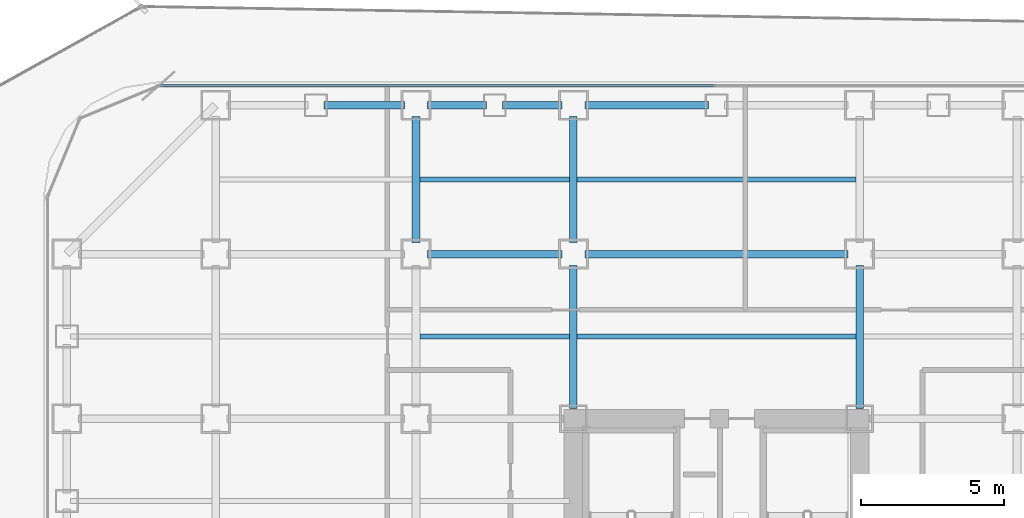
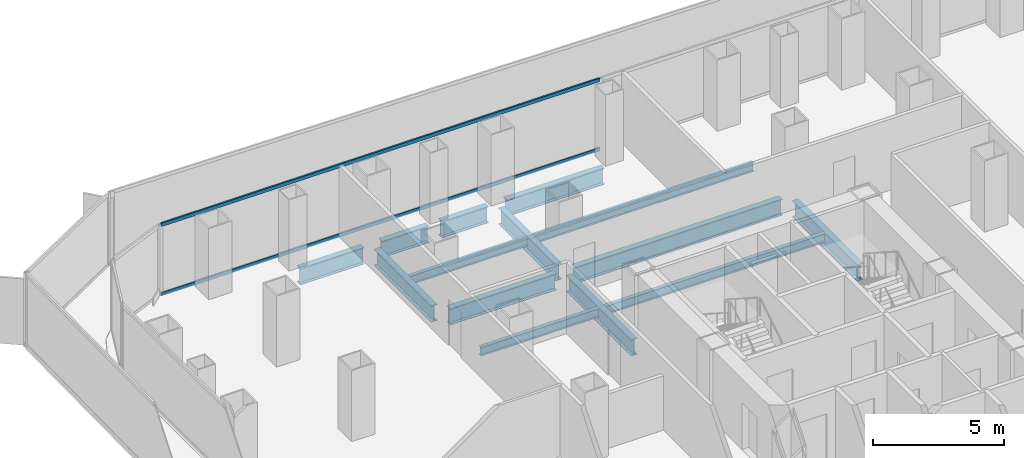
# One storey, part 12 of 21: 14 beams, 2 members, 1 element without a shape of its own.
"""IFC4 building model written with IfcOpenShell, lengths in metres."""

from ifc_helpers import new_model, si_unit, direction, frame, origin, origin_2d, place, context, subcontext, project, spatial, hollow_rectangle, i_section, extrude, source, transform, mapped, material, layer, layer_set, material_profile, profile_set, type_object, element, aggregate, save


model = new_model("IFC4")

# Units and contexts
model_context = context("Model", 3, precision=1e-05, world=origin(), true_north=direction((0.0, 1.0)))
body_context = subcontext(model_context, "Body", "Model", "MODEL_VIEW")
ifc_project = project(units=[si_unit("LENGTHUNIT", "METRE"), si_unit("AREAUNIT", "SQUARE_METRE"), si_unit("VOLUMEUNIT", "CUBIC_METRE"), si_unit("PLANEANGLEUNIT", "RADIAN"), si_unit("MASSUNIT", "GRAM", prefix="KILO")], contexts=[model_context])

# Site, building, storey
site_placement = place(None, origin())
site = spatial("IfcSite", under=ifc_project, at=site_placement, CompositionType="ELEMENT")
building_placement = place(site_placement, origin())
building = spatial("IfcBuilding", under=site, at=building_placement, Name="Kolveth Station Tower", CompositionType="ELEMENT")
storey_placement = place(building_placement, frame((0.0, 0.0, 58.5)))
storey = spatial("IfcBuildingStorey", under=building, at=storey_placement, Name="L15", CompositionType="ELEMENT", Elevation=58.5)

# Beams
ifc_material_1 = material(Name="Steel S355", Category="steel")
ifc_material_profile_1 = material_profile(ifc_material_1, i_section(OverallWidth=0.26904296875, OverallDepth=0.77490234375, WebThickness=0.01708984375, FlangeThickness=0.0283203125, at=origin_2d()), Name="W760x220")
ifc_profile_set_1 = profile_set([ifc_material_profile_1], Name="Steel S355")
beam_type_1 = type_object("IfcBeamType", Name="Beam_SP1", PredefinedType="SPANDREL", material=ifc_profile_set_1)
shared_shape_1 = source(origin(), body_context, "Body", "SweptSolid", [
    extrude(i_section(OverallWidth=0.26904296875, OverallDepth=0.77490234375, WebThickness=0.01708984375, FlangeThickness=0.0283203125, at=origin_2d()), origin(), (0.0, 0.0, 1.0), 2.820068359375),
])
beam_1_placement = place(storey_placement, frame((9.780029296875, 39.699951171875, -0.66748046875), z_axis=(1.0, 0.0, 0.0), x_axis=(0.0, 1.0, 0.0)))
element("IfcBeam", 1, at=beam_1_placement, inside=storey, type_object=beam_type_1, Name="L15 Perimeter Spandrel BM-L15-PN-2", PredefinedType="SPANDREL", context=body_context, shape_type="MappedRepresentation", body=[
    mapped(shared_shape_1, transform((0.0, 0.0, 0.0), x_axis=(1.0, 0.0, 0.0), y_axis=(0.0, 1.0, 0.0), z_axis=(0.0, 0.0, 1.0), scale=1.0)),
])
shared_shape_2 = source(origin(), body_context, "Body", "SweptSolid", [
    extrude(i_section(OverallWidth=0.26904296875, OverallDepth=0.77490234375, WebThickness=0.01708984375, FlangeThickness=0.0283203125, at=origin_2d()), origin(), (0.0, 0.0, 1.0), 2.070068359375),
])
for number, where, z_axis, x_axis, name in (
    (2, (13.39990234375, 39.699951171875, -0.66748046875), (1.0, 0.0, 0.0), (0.0, 1.0, 0.0), "L15 Perimeter Spandrel BM-L15-PN-3"),
    (3, (16.030029296875, 39.699951171875, -0.66748046875), (1.0, 0.0, 0.0), (0.0, 1.0, 0.0), "L15 Perimeter Spandrel BM-L15-PN-4"),
):
    element("IfcBeam", number, at=place(storey_placement, frame(where, z_axis=z_axis, x_axis=x_axis)), inside=storey, type_object=beam_type_1, Name=name, PredefinedType="SPANDREL", context=body_context, shape_type="MappedRepresentation", body=[
        mapped(shared_shape_2, transform((0.0, 0.0, 0.0), x_axis=(1.0, 0.0, 0.0), y_axis=(0.0, 1.0, 0.0), z_axis=(0.0, 0.0, 1.0), scale=1.0)),
    ])
shared_shape_3 = source(origin(), body_context, "Body", "SweptSolid", [
    extrude(i_section(OverallWidth=0.26904296875, OverallDepth=0.77490234375, WebThickness=0.01708984375, FlangeThickness=0.0283203125, at=origin_2d()), origin(), (0.0, 0.0, 1.0), 4.320068359375),
])
beam_2_placement = place(storey_placement, frame((18.89990234375, 39.699951171875, -0.66748046875), z_axis=(1.0, 0.0, 0.0), x_axis=(0.0, 1.0, 0.0)))
element("IfcBeam", 4, at=beam_2_placement, inside=storey, type_object=beam_type_1, Name="L15 Perimeter Spandrel BM-L15-PN-5", PredefinedType="SPANDREL", context=body_context, shape_type="MappedRepresentation", body=[
    mapped(shared_shape_3, transform((0.0, 0.0, 0.0), x_axis=(1.0, 0.0, 0.0), y_axis=(0.0, 1.0, 0.0), z_axis=(0.0, 0.0, 1.0), scale=1.0)),
])
ifc_material_profile_2 = material_profile(ifc_material_1, i_section(OverallWidth=0.26708984375, OverallDepth=0.76611328125, WebThickness=0.014892578125, FlangeThickness=0.023681640625, at=origin_2d()), Name="W760x185")
ifc_profile_set_2 = profile_set([ifc_material_profile_2], Name="Steel S355")
beam_type_2 = type_object("IfcBeamType", Name="Beam_B3", PredefinedType="BEAM", material=ifc_profile_set_2)
shared_shape_4 = source(origin(), body_context, "Body", "SweptSolid", [
    extrude(i_section(OverallWidth=0.26708984375, OverallDepth=0.76611328125, WebThickness=0.014892578125, FlangeThickness=0.023681640625, at=origin_2d()), origin(), (0.0, 0.0, 1.0), 4.400146484375),
])
for number, where, z_axis, x_axis, name in (
    (5, (13.0, 34.89990234375, -0.6630859375), (0.0, 1.0, 0.0), (-1.0, 0.0, 0.0), "L15 Primary Girder BM-L15-GX130-7"),
    (6, (18.5, 34.89990234375, -0.6630859375), (0.0, 1.0, 0.0), (-1.0, 0.0, 0.0), "L15 Primary Girder BM-L15-GX185-7"),
):
    element("IfcBeam", number, at=place(storey_placement, frame(where, z_axis=z_axis, x_axis=x_axis)), inside=storey, type_object=beam_type_2, Name=name, PredefinedType="BEAM", context=body_context, shape_type="MappedRepresentation", body=[
        mapped(shared_shape_4, transform((0.0, 0.0, 0.0), x_axis=(1.0, 0.0, 0.0), y_axis=(0.0, 1.0, 0.0), z_axis=(0.0, 0.0, 1.0), scale=1.0)),
    ])
shared_shape_5 = source(origin(), body_context, "Body", "SweptSolid", [
    extrude(i_section(OverallWidth=0.26708984375, OverallDepth=0.76611328125, WebThickness=0.014892578125, FlangeThickness=0.023681640625, at=origin_2d()), origin(), (0.0, 0.0, 1.0), 4.7001953125),
])
beam_3_placement = place(storey_placement, frame((13.39990234375, 34.5, -0.6630859375), z_axis=(1.0, 0.0, 0.0), x_axis=(0.0, 1.0, 0.0)))
element("IfcBeam", 7, at=beam_3_placement, inside=storey, type_object=beam_type_2, Name="L15 Primary Girder BM-L15-GY345-3", PredefinedType="BEAM", context=body_context, shape_type="MappedRepresentation", body=[
    mapped(shared_shape_5, transform((0.0, 0.0, 0.0), x_axis=(1.0, 0.0, 0.0), y_axis=(0.0, 1.0, 0.0), z_axis=(0.0, 0.0, 1.0), scale=1.0)),
])
shared_shape_6 = source(origin(), body_context, "Body", "SweptSolid", [
    extrude(i_section(OverallWidth=0.26708984375, OverallDepth=0.76611328125, WebThickness=0.014892578125, FlangeThickness=0.023681640625, at=origin_2d()), origin(), (0.0, 0.0, 1.0), 9.2001953125),
])
beam_4_placement = place(storey_placement, frame((18.89990234375, 34.5, -0.6630859375), z_axis=(1.0, 0.0, 0.0), x_axis=(0.0, 1.0, 0.0)))
element("IfcBeam", 8, at=beam_4_placement, inside=storey, type_object=beam_type_2, Name="L15 Primary Girder BM-L15-GY345-4", PredefinedType="BEAM", context=body_context, shape_type="MappedRepresentation", body=[
    mapped(shared_shape_6, transform((0.0, 0.0, 0.0), x_axis=(1.0, 0.0, 0.0), y_axis=(0.0, 1.0, 0.0), z_axis=(0.0, 0.0, 1.0), scale=1.0)),
])
shared_shape_7 = source(origin(), body_context, "Body", "SweptSolid", [
    extrude(i_section(OverallWidth=0.26708984375, OverallDepth=0.76611328125, WebThickness=0.014892578125, FlangeThickness=0.023681640625, at=origin_2d()), origin(), (0.0, 0.0, 1.0), 4.989990234375),
])
for number, where, z_axis, x_axis, name in (
    (9, (18.5, 29.110107421875, -0.6630859375), (0.0, 1.0, 0.0), (-1.0, 0.0, 0.0), "L15 Primary Girder BM-L15-GX185-6"),
    (10, (28.5, 29.110107421875, -0.6630859375), (0.0, 1.0, 0.0), (-1.0, 0.0, 0.0), "L15 Primary Girder BM-L15-GX285-6"),
):
    element("IfcBeam", number, at=place(storey_placement, frame(where, z_axis=z_axis, x_axis=x_axis)), inside=storey, type_object=beam_type_2, Name=name, PredefinedType="BEAM", context=body_context, shape_type="MappedRepresentation", body=[
        mapped(shared_shape_7, transform((0.0, 0.0, 0.0), x_axis=(1.0, 0.0, 0.0), y_axis=(0.0, 1.0, 0.0), z_axis=(0.0, 0.0, 1.0), scale=1.0)),
    ])
ifc_material_profile_3 = material_profile(ifc_material_1, i_section(OverallWidth=0.177978515625, OverallDepth=0.406982421875, WebThickness=0.0078125, FlangeThickness=0.0126953125, at=origin_2d()), Name="W410x60")
ifc_profile_set_3 = profile_set([ifc_material_profile_3], Name="Steel S355")
beam_type_3 = type_object("IfcBeamType", Name="Beam_J1", PredefinedType="JOIST", material=ifc_profile_set_3)
shared_shape_8 = source(origin(), body_context, "Body", "SweptSolid", [
    extrude(i_section(OverallWidth=0.177978515625, OverallDepth=0.406982421875, WebThickness=0.0078125, FlangeThickness=0.0126953125, at=origin_2d()), origin(), (0.0, 0.0, 1.0), 5.23681640625),
])
for number, where, z_axis, x_axis, name in (
    (11, (13.131591796875, 31.625, -0.4833984375), (1.0, 0.0, 0.0), (0.0, 1.0, 0.0), "L15 Secondary Joist JST-L15-3-6"),
    (12, (13.131591796875, 37.10009765625, -0.4833984375), (1.0, 0.0, 0.0), (0.0, 1.0, 0.0), "L15 Secondary Joist JST-L15-3-7"),
):
    element("IfcBeam", number, at=place(storey_placement, frame(where, z_axis=z_axis, x_axis=x_axis)), inside=storey, type_object=beam_type_3, Name=name, PredefinedType="JOIST", context=body_context, shape_type="MappedRepresentation", body=[
        mapped(shared_shape_8, transform((0.0, 0.0, 0.0), x_axis=(1.0, 0.0, 0.0), y_axis=(0.0, 1.0, 0.0), z_axis=(0.0, 0.0, 1.0), scale=1.0)),
    ])
shared_shape_9 = source(origin(), body_context, "Body", "SweptSolid", [
    extrude(i_section(OverallWidth=0.177978515625, OverallDepth=0.406982421875, WebThickness=0.0078125, FlangeThickness=0.0126953125, at=origin_2d()), origin(), (0.0, 0.0, 1.0), 9.73681640625),
])
for number, where, z_axis, x_axis, name in (
    (13, (18.631591796875, 31.625, -0.4833984375), (1.0, 0.0, 0.0), (0.0, 1.0, 0.0), "L15 Secondary Joist JST-L15-4-6"),
    (14, (18.631591796875, 37.10009765625, -0.4833984375), (1.0, 0.0, 0.0), (0.0, 1.0, 0.0), "L15 Secondary Joist JST-L15-4-7"),
):
    element("IfcBeam", number, at=place(storey_placement, frame(where, z_axis=z_axis, x_axis=x_axis)), inside=storey, type_object=beam_type_3, Name=name, PredefinedType="JOIST", context=body_context, shape_type="MappedRepresentation", body=[
        mapped(shared_shape_9, transform((0.0, 0.0, 0.0), x_axis=(1.0, 0.0, 0.0), y_axis=(0.0, 1.0, 0.0), z_axis=(0.0, 0.0, 1.0), scale=1.0)),
    ])

# Curtain wall, members
ifc_material_2 = material(Name="Aluminium 6063-T6 and low-E dark glass", Category="aluminium")
ifc_layer = layer(ifc_material_2, 0.179931640625)
ifc_layer_set = layer_set([ifc_layer], Name="Aluminium 6063-T6 and low-E dark glass")
curtain_wall_type = type_object("IfcCurtainWallType", Name="CurtainWall_CW-Z1", PredefinedType="NOTDEFINED", material=ifc_layer_set)
curtain_wall_placement = place(storey_placement, origin())
curtain_wall = element("IfcCurtainWall", 15, at=curtain_wall_placement, inside=storey, type_object=curtain_wall_type, Name="L15 Inner Thermal Curtain Wall 6", PredefinedType="NOTDEFINED")
ifc_material_3 = material(Name="Black anodized aluminium 6063-T6", Category="aluminium")
ifc_material_profile_4 = material_profile(ifc_material_3, hollow_rectangle(XDim=0.074951171875, YDim=0.159912109375, WallThickness=0.0048828125, at=origin_2d()), Name="ALU-75x160x5")
ifc_profile_set_4 = profile_set([ifc_material_profile_4], Name="Black anodized aluminium 6063-T6")
member_type = type_object("IfcMemberType", Name="Transom_TR1", PredefinedType="USERDEFINED", material=ifc_profile_set_4)
shared_shape_10 = source(origin(), body_context, "Body", "SweptSolid", [
    extrude(hollow_rectangle(XDim=0.074951171875, YDim=0.159912109375, WallThickness=0.0048828125, at=origin_2d()), origin(), (0.0, 0.0, 1.0), 19.387451171875),
])
member_1_placement = place(storey_placement, frame((23.46240234375, 40.3798828125, 0.03759765625), z_axis=(-1.0, 0.0, 0.0), x_axis=(0.0, -1.0, 0.0)))
member_1 = element("IfcMember", 16, at=member_1_placement, type_object=member_type, Name="CW-Z1 transom 2.1", ObjectType="TRANSOM", PredefinedType="USERDEFINED", context=body_context, shape_type="MappedRepresentation", body=[
    mapped(shared_shape_10, transform((0.0, 0.0, 0.0), x_axis=(1.0, 0.0, 0.0), y_axis=(0.0, 1.0, 0.0), z_axis=(0.0, 0.0, 1.0), scale=1.0)),
])
member_2_placement = place(storey_placement, frame((23.46240234375, 40.3798828125, 3.282470703125), z_axis=(-1.0, 0.0, 0.0), x_axis=(0.0, -1.0, 0.0)))
member_2 = element("IfcMember", 17, at=member_2_placement, type_object=member_type, Name="CW-Z1 transom 2.2", ObjectType="TRANSOM", PredefinedType="USERDEFINED", context=body_context, shape_type="MappedRepresentation", body=[
    mapped(shared_shape_10, transform((0.0, 0.0, 0.0), x_axis=(1.0, 0.0, 0.0), y_axis=(0.0, 1.0, 0.0), z_axis=(0.0, 0.0, 1.0), scale=1.0)),
])
aggregate(curtain_wall, [member_1, member_2])

save(model, "model.ifc")
